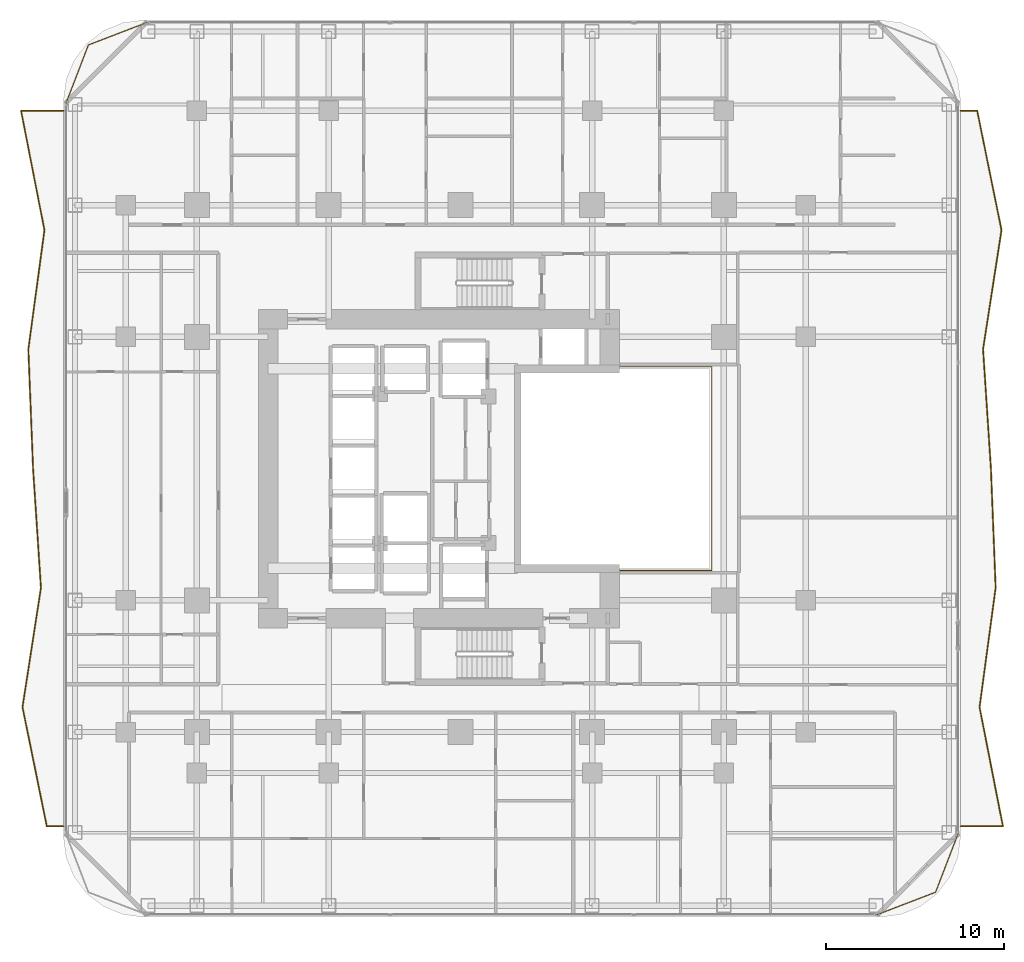
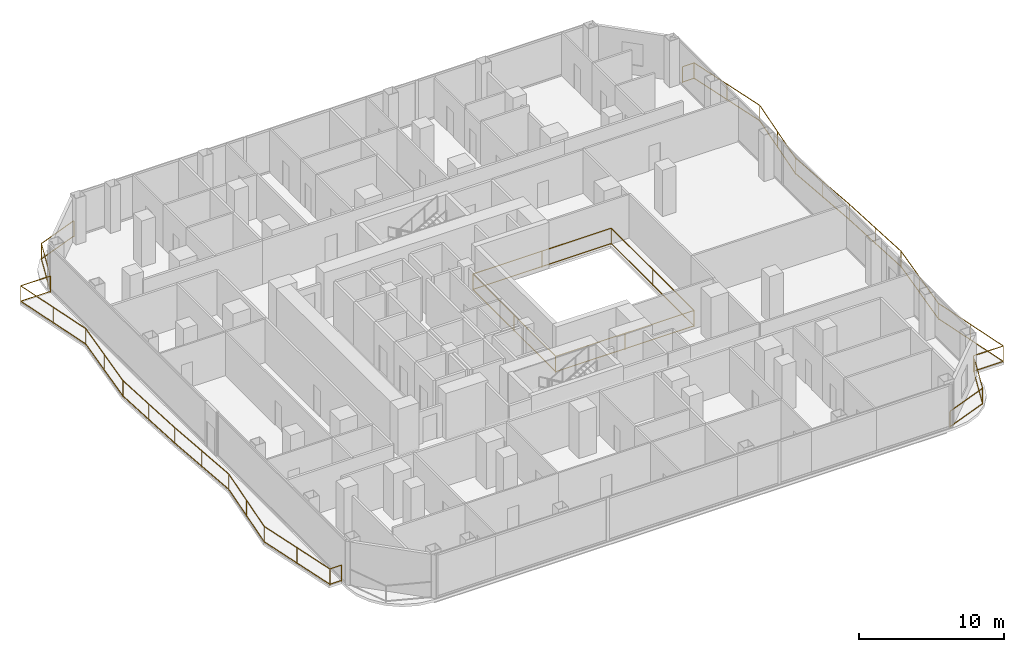
# One storey, part 26 of 27: 5 railings.
"""IFC4 building model written with IfcOpenShell, lengths in metres."""

from ifc_helpers import new_model, si_unit, direction, frame, origin, origin_2d, place, context, subcontext, project, spatial, rectangle, extrude, material, type_object, element, save


model = new_model("IFC4")

# Units and contexts
model_context = context("Model", 3, precision=1e-05, world=origin(), true_north=direction((0.0, 1.0)))
body_context = subcontext(model_context, "Body", "Model", "MODEL_VIEW")
ifc_project = project(units=[si_unit("LENGTHUNIT", "METRE"), si_unit("AREAUNIT", "SQUARE_METRE"), si_unit("VOLUMEUNIT", "CUBIC_METRE"), si_unit("PLANEANGLEUNIT", "RADIAN"), si_unit("MASSUNIT", "GRAM", prefix="KILO")], contexts=[model_context])

# Site, building, storey
site_placement = place(None, origin())
site = spatial("IfcSite", under=ifc_project, at=site_placement, CompositionType="ELEMENT")
building_placement = place(site_placement, origin())
building = spatial("IfcBuilding", under=site, at=building_placement, Name="Khorvyn Point Tower", CompositionType="ELEMENT")
storey_placement = place(building_placement, frame((0.0, 0.0, 46.199951171875)))
storey = spatial("IfcBuildingStorey", under=building, at=storey_placement, Name="L12", CompositionType="ELEMENT", Elevation=46.199951171875)

# Railings
ifc_material_1 = material(Name="Stainless steel 1.4401 and laminated glass", Category="steel")
railing_type_1 = type_object("IfcRailingType", Name="Crystal Atrium Smoke-Rated Perimeter Guardrail 1400", PredefinedType="GUARDRAIL", material=ifc_material_1)
railing_1_placement = place(storey_placement, frame((3.080078125, -5.719970703125, 0.0)))
element("IfcRailing", 1, at=railing_1_placement, inside=storey, type_object=railing_type_1, Name="L12 Crystal Atrium Perimeter Guardrail", PredefinedType="GUARDRAIL", context=body_context, shape_type="SweptSolid", body=[
    extrude(rectangle(XDim=0.048095703125, YDim=0.048095703125, at=origin_2d()), frame((0.0, 0.0, 1.3759765625), z_axis=(1.0, 0.0, 0.0), x_axis=(0.0, 1.0, 0.0)), (0.0, 0.0, 1.0), 11.0400390625),
    extrude(rectangle(XDim=0.048095703125, YDim=0.048095703125, at=origin_2d()), frame((0.0, 0.0, 0.080078125), z_axis=(1.0, 0.0, 0.0), x_axis=(0.0, 1.0, 0.0)), (0.0, 0.0, 1.0), 11.0400390625),
    extrude(rectangle(XDim=0.048095703125, YDim=0.048095703125, at=origin_2d()), frame((11.0400390625, 0.0, 1.3759765625), z_axis=(0.0, 1.0, 0.0), x_axis=(-1.0, 0.0, 0.0)), (0.0, 0.0, 1.0), 11.43994140625),
    extrude(rectangle(XDim=0.048095703125, YDim=0.048095703125, at=origin_2d()), frame((11.0400390625, 0.0, 0.080078125), z_axis=(0.0, 1.0, 0.0), x_axis=(-1.0, 0.0, 0.0)), (0.0, 0.0, 1.0), 11.43994140625),
    extrude(rectangle(XDim=0.048095703125, YDim=0.048095703125, at=origin_2d()), frame((11.0400390625, 11.43994140625, 1.3759765625), z_axis=(-1.0, 0.0, 0.0), x_axis=(0.0, -1.0, 0.0)), (0.0, 0.0, 1.0), 11.0400390625),
    extrude(rectangle(XDim=0.048095703125, YDim=0.048095703125, at=origin_2d()), frame((11.0400390625, 11.43994140625, 0.080078125), z_axis=(-1.0, 0.0, 0.0), x_axis=(0.0, -1.0, 0.0)), (0.0, 0.0, 1.0), 11.0400390625),
    extrude(rectangle(XDim=0.048095703125, YDim=0.048095703125, at=origin_2d()), frame((0.0, 11.43994140625, 1.3759765625), z_axis=(0.0, -1.0, 0.0), x_axis=(1.0, 0.0, 0.0)), (0.0, 0.0, 1.0), 11.409912109375),
    extrude(rectangle(XDim=0.048095703125, YDim=0.048095703125, at=origin_2d()), frame((0.0, 11.43994140625, 0.080078125), z_axis=(0.0, -1.0, 0.0), x_axis=(1.0, 0.0, 0.0)), (0.0, 0.0, 1.0), 11.409912109375),
    extrude(rectangle(XDim=0.0419921875, YDim=0.0419921875, at=origin_2d()), origin(), (0.0, 0.0, 1.0), 1.351806640625),
    extrude(rectangle(XDim=0.0419921875, YDim=0.0419921875, at=origin_2d()), frame((5.52001953125, 0.0, 0.0)), (0.0, 0.0, 1.0), 1.351806640625),
    extrude(rectangle(XDim=0.0419921875, YDim=0.0419921875, at=origin_2d()), frame((11.0400390625, 0.0, 0.0)), (0.0, 0.0, 1.0), 1.351806640625),
    extrude(rectangle(XDim=0.0419921875, YDim=0.0419921875, at=origin_2d()), frame((11.0400390625, 5.719970703125, 0.0)), (0.0, 0.0, 1.0), 1.351806640625),
    extrude(rectangle(XDim=0.0419921875, YDim=0.0419921875, at=origin_2d()), frame((11.0400390625, 11.43994140625, 0.0)), (0.0, 0.0, 1.0), 1.351806640625),
    extrude(rectangle(XDim=0.0419921875, YDim=0.0419921875, at=origin_2d()), frame((5.52001953125, 11.43994140625, 0.0)), (0.0, 0.0, 1.0), 1.351806640625),
    extrude(rectangle(XDim=0.0419921875, YDim=0.0419921875, at=origin_2d()), frame((0.0, 11.43994140625, 0.0)), (0.0, 0.0, 1.0), 1.351806640625),
    extrude(rectangle(XDim=0.0419921875, YDim=0.0419921875, at=origin_2d()), frame((0.0, 5.73486328125, 0.0)), (0.0, 0.0, 1.0), 1.351806640625),
    extrude(rectangle(XDim=0.0419921875, YDim=0.0419921875, at=origin_2d()), frame((0.0, 0.030029296875, 0.0)), (0.0, 0.0, 1.0), 1.351806640625),
])
ifc_material_2 = material(Name="Anodised aluminium 6063-T6 and laminated safety glass", Category="aluminium")
railing_type_2 = type_object("IfcRailingType", Name="Laminated Glass and Aluminium Balcony Guardrail 1400", PredefinedType="BALUSTRADE", material=ifc_material_2)
railing_2_placement = place(storey_placement, frame((-17.57080078125, 25.073974609375, 0.0)))
element("IfcRailing", 2, at=railing_2_placement, inside=storey, type_object=railing_type_2, Name="L12 Rounded Corner Edge Guardrail NW", PredefinedType="BALUSTRADE", context=body_context, shape_type="SweptSolid", body=[
    extrude(rectangle(XDim=0.048095703125, YDim=0.048095703125, at=origin_2d()), frame((0.0, 0.0, 1.3759765625), z_axis=(-0.933583807283, -0.358359142172, 0.0), x_axis=(0.358359142172, -0.933583807283, 0.0)), (0.0, 0.0, 1.0), 3.56298828125),
    extrude(rectangle(XDim=0.048095703125, YDim=0.048095703125, at=origin_2d()), frame((0.0, 0.0, 0.080078125), z_axis=(-0.933583807283, -0.358359142172, 0.0), x_axis=(0.358359142172, -0.933583807283, 0.0)), (0.0, 0.0, 1.0), 3.56298828125),
    extrude(rectangle(XDim=0.048095703125, YDim=0.048095703125, at=origin_2d()), frame((-3.326416015625, -1.27685546875, 1.3759765625), z_axis=(-0.358359142172, -0.933583807283, 0.0), x_axis=(0.933583807283, -0.358359142172, 0.0)), (0.0, 0.0, 1.0), 3.56298828125),
    extrude(rectangle(XDim=0.048095703125, YDim=0.048095703125, at=origin_2d()), frame((-3.326416015625, -1.27685546875, 0.080078125), z_axis=(-0.358359142172, -0.933583807283, 0.0), x_axis=(0.933583807283, -0.358359142172, 0.0)), (0.0, 0.0, 1.0), 3.56298828125),
    extrude(rectangle(XDim=0.0419921875, YDim=0.0419921875, at=origin_2d()), origin(), (0.0, 0.0, 1.0), 1.351806640625),
    extrude(rectangle(XDim=0.0419921875, YDim=0.0419921875, at=origin_2d()), frame((-3.326416015625, -1.27685546875, 0.0)), (0.0, 0.0, 1.0), 1.351806640625),
    extrude(rectangle(XDim=0.0419921875, YDim=0.0419921875, at=origin_2d()), frame((-4.603271484375, -4.603271484375, 0.0)), (0.0, 0.0, 1.0), 1.351806640625),
])
railing_3_placement = place(storey_placement, frame((23.370849609375, -25.073974609375, 0.0)))
element("IfcRailing", 3, at=railing_3_placement, inside=storey, type_object=railing_type_2, Name="L12 Rounded Corner Edge Guardrail SE", PredefinedType="BALUSTRADE", context=body_context, shape_type="SweptSolid", body=[
    extrude(rectangle(XDim=0.048095703125, YDim=0.048095703125, at=origin_2d()), frame((0.0, 0.0, 1.3759765625), z_axis=(0.933575007025, 0.358382067435, 0.0), x_axis=(-0.358382067435, 0.933575007025, 0.0)), (0.0, 0.0, 1.0), 3.562744140625),
    extrude(rectangle(XDim=0.048095703125, YDim=0.048095703125, at=origin_2d()), frame((0.0, 0.0, 0.080078125), z_axis=(0.933575007025, 0.358382067435, 0.0), x_axis=(-0.358382067435, 0.933575007025, 0.0)), (0.0, 0.0, 1.0), 3.562744140625),
    extrude(rectangle(XDim=0.048095703125, YDim=0.048095703125, at=origin_2d()), frame((3.326171875, 1.27685546875, 1.3759765625), z_axis=(0.35841886047, 0.933560882031, 0.0), x_axis=(-0.933560882031, 0.35841886047, 0.0)), (0.0, 0.0, 1.0), 3.563232421875),
    extrude(rectangle(XDim=0.048095703125, YDim=0.048095703125, at=origin_2d()), frame((3.326171875, 1.27685546875, 0.080078125), z_axis=(0.35841886047, 0.933560882031, 0.0), x_axis=(-0.933560882031, 0.35841886047, 0.0)), (0.0, 0.0, 1.0), 3.563232421875),
    extrude(rectangle(XDim=0.0419921875, YDim=0.0419921875, at=origin_2d()), origin(), (0.0, 0.0, 1.0), 1.351806640625),
    extrude(rectangle(XDim=0.0419921875, YDim=0.0419921875, at=origin_2d()), frame((3.326171875, 1.27685546875, 0.0)), (0.0, 0.0, 1.0), 1.351806640625),
    extrude(rectangle(XDim=0.0419921875, YDim=0.0419921875, at=origin_2d()), frame((4.603271484375, 4.603271484375, 0.0)), (0.0, 0.0, 1.0), 1.351806640625),
])
railing_4_placement = place(storey_placement, frame((28.10009765625, -20.10009765625, 0.0)))
element("IfcRailing", 4, at=railing_4_placement, inside=storey, type_object=railing_type_2, Name="L12 East Balcony Guardrail", PredefinedType="BALUSTRADE", context=body_context, shape_type="SweptSolid", body=[
    extrude(rectangle(XDim=0.048095703125, YDim=0.048095703125, at=origin_2d()), frame((0.0, 0.0, 1.3759765625), z_axis=(1.0, 0.0, 0.0), x_axis=(0.0, 1.0, 0.0)), (0.0, 0.0, 1.0), 2.37841796875),
    extrude(rectangle(XDim=0.048095703125, YDim=0.048095703125, at=origin_2d()), frame((0.0, 0.0, 0.080078125), z_axis=(1.0, 0.0, 0.0), x_axis=(0.0, 1.0, 0.0)), (0.0, 0.0, 1.0), 2.37841796875),
    extrude(rectangle(XDim=0.048095703125, YDim=0.048095703125, at=origin_2d()), frame((2.37841796875, 0.0, 1.3759765625), z_axis=(-0.192339516388, 0.981328441673, 0.0), x_axis=(-0.981328441673, -0.192339516388, 0.0)), (0.0, 0.0, 1.0), 6.82763671875),
    extrude(rectangle(XDim=0.048095703125, YDim=0.048095703125, at=origin_2d()), frame((2.37841796875, 0.0, 0.080078125), z_axis=(-0.192339516388, 0.981328441673, 0.0), x_axis=(-0.981328441673, -0.192339516388, 0.0)), (0.0, 0.0, 1.0), 6.82763671875),
    extrude(rectangle(XDim=0.048095703125, YDim=0.048095703125, at=origin_2d()), frame((1.065185546875, 6.7001953125, 1.3759765625), z_axis=(0.133757826576, 0.99101404825, 0.0), x_axis=(-0.99101404825, 0.133757826576, 0.0)), (0.0, 0.0, 1.0), 6.7607421875),
    extrude(rectangle(XDim=0.048095703125, YDim=0.048095703125, at=origin_2d()), frame((1.065185546875, 6.7001953125, 0.080078125), z_axis=(0.133757826576, 0.99101404825, 0.0), x_axis=(-0.99101404825, 0.133757826576, 0.0)), (0.0, 0.0, 1.0), 6.7607421875),
    extrude(rectangle(XDim=0.048095703125, YDim=0.048095703125, at=origin_2d()), frame((1.969482421875, 13.400146484375, 1.3759765625), z_axis=(-0.039469275606, 0.999220784553, 0.0), x_axis=(-0.999220784553, -0.039469275606, 0.0)), (0.0, 0.0, 1.0), 6.705078125),
    extrude(rectangle(XDim=0.048095703125, YDim=0.048095703125, at=origin_2d()), frame((1.969482421875, 13.400146484375, 0.080078125), z_axis=(-0.039469275606, 0.999220784553, 0.0), x_axis=(-0.999220784553, -0.039469275606, 0.0)), (0.0, 0.0, 1.0), 6.705078125),
    extrude(rectangle(XDim=0.048095703125, YDim=0.048095703125, at=origin_2d()), frame((1.704833984375, 20.10009765625, 1.3759765625), z_axis=(-0.06588430605, 0.997827268728, 0.0), x_axis=(-0.997827268728, -0.06588430605, 0.0)), (0.0, 0.0, 1.0), 6.714599609375),
    extrude(rectangle(XDim=0.048095703125, YDim=0.048095703125, at=origin_2d()), frame((1.704833984375, 20.10009765625, 0.080078125), z_axis=(-0.06588430605, 0.997827268728, 0.0), x_axis=(-0.997827268728, -0.06588430605, 0.0)), (0.0, 0.0, 1.0), 6.714599609375),
    extrude(rectangle(XDim=0.048095703125, YDim=0.048095703125, at=origin_2d()), frame((1.262451171875, 26.800048828125, 1.3759765625), z_axis=(0.152901402599, 0.988241448778, 0.0), x_axis=(-0.988241448778, 0.152901402599, 0.0)), (0.0, 0.0, 1.0), 6.77978515625),
    extrude(rectangle(XDim=0.048095703125, YDim=0.048095703125, at=origin_2d()), frame((1.262451171875, 26.800048828125, 0.080078125), z_axis=(0.152901402599, 0.988241448778, 0.0), x_axis=(-0.988241448778, 0.152901402599, 0.0)), (0.0, 0.0, 1.0), 6.77978515625),
    extrude(rectangle(XDim=0.048095703125, YDim=0.048095703125, at=origin_2d()), frame((2.299072265625, 33.5, 1.3759765625), z_axis=(-0.19982920422, 0.97983074515, 0.0), x_axis=(-0.97983074515, -0.19982920422, 0.0)), (0.0, 0.0, 1.0), 6.838134765625),
    extrude(rectangle(XDim=0.048095703125, YDim=0.048095703125, at=origin_2d()), frame((2.299072265625, 33.5, 0.080078125), z_axis=(-0.19982920422, 0.97983074515, 0.0), x_axis=(-0.97983074515, -0.19982920422, 0.0)), (0.0, 0.0, 1.0), 6.838134765625),
    extrude(rectangle(XDim=0.048095703125, YDim=0.048095703125, at=origin_2d()), frame((0.9326171875, 40.2001953125, 1.3759765625), z_axis=(-1.0, 0.0, 0.0), x_axis=(0.0, -1.0, 0.0)), (0.0, 0.0, 1.0), 0.9326171875),
    extrude(rectangle(XDim=0.048095703125, YDim=0.048095703125, at=origin_2d()), frame((0.9326171875, 40.2001953125, 0.080078125), z_axis=(-1.0, 0.0, 0.0), x_axis=(0.0, -1.0, 0.0)), (0.0, 0.0, 1.0), 0.9326171875),
    extrude(rectangle(XDim=0.0419921875, YDim=0.0419921875, at=origin_2d()), origin(), (0.0, 0.0, 1.0), 1.351806640625),
    extrude(rectangle(XDim=0.0419921875, YDim=0.0419921875, at=origin_2d()), frame((2.37841796875, 0.0, 0.0)), (0.0, 0.0, 1.0), 1.351806640625),
    extrude(rectangle(XDim=0.0419921875, YDim=0.0419921875, at=origin_2d()), frame((1.7216796875, 3.35009765625, 0.0)), (0.0, 0.0, 1.0), 1.351806640625),
    extrude(rectangle(XDim=0.0419921875, YDim=0.0419921875, at=origin_2d()), frame((1.065185546875, 6.7001953125, 0.0)), (0.0, 0.0, 1.0), 1.351806640625),
    extrude(rectangle(XDim=0.0419921875, YDim=0.0419921875, at=origin_2d()), frame((1.517333984375, 10.05029296875, 0.0)), (0.0, 0.0, 1.0), 1.351806640625),
    extrude(rectangle(XDim=0.0419921875, YDim=0.0419921875, at=origin_2d()), frame((1.969482421875, 13.400146484375, 0.0)), (0.0, 0.0, 1.0), 1.351806640625),
    extrude(rectangle(XDim=0.0419921875, YDim=0.0419921875, at=origin_2d()), frame((1.837158203125, 16.75, 0.0)), (0.0, 0.0, 1.0), 1.351806640625),
    extrude(rectangle(XDim=0.0419921875, YDim=0.0419921875, at=origin_2d()), frame((1.704833984375, 20.10009765625, 0.0)), (0.0, 0.0, 1.0), 1.351806640625),
    extrude(rectangle(XDim=0.0419921875, YDim=0.0419921875, at=origin_2d()), frame((1.483642578125, 23.4501953125, 0.0)), (0.0, 0.0, 1.0), 1.351806640625),
    extrude(rectangle(XDim=0.0419921875, YDim=0.0419921875, at=origin_2d()), frame((1.262451171875, 26.800048828125, 0.0)), (0.0, 0.0, 1.0), 1.351806640625),
    extrude(rectangle(XDim=0.0419921875, YDim=0.0419921875, at=origin_2d()), frame((1.78076171875, 30.14990234375, 0.0)), (0.0, 0.0, 1.0), 1.351806640625),
    extrude(rectangle(XDim=0.0419921875, YDim=0.0419921875, at=origin_2d()), frame((2.299072265625, 33.5, 0.0)), (0.0, 0.0, 1.0), 1.351806640625),
    extrude(rectangle(XDim=0.0419921875, YDim=0.0419921875, at=origin_2d()), frame((1.61572265625, 36.85009765625, 0.0)), (0.0, 0.0, 1.0), 1.351806640625),
    extrude(rectangle(XDim=0.0419921875, YDim=0.0419921875, at=origin_2d()), frame((0.9326171875, 40.2001953125, 0.0)), (0.0, 0.0, 1.0), 1.351806640625),
    extrude(rectangle(XDim=0.0419921875, YDim=0.0419921875, at=origin_2d()), frame((0.0, 40.2001953125, 0.0)), (0.0, 0.0, 1.0), 1.351806640625),
])
railing_5_placement = place(storey_placement, frame((-22.300048828125, 20.10009765625, 0.0)))
element("IfcRailing", 5, at=railing_5_placement, inside=storey, type_object=railing_type_2, Name="L12 West Balcony Guardrail", PredefinedType="BALUSTRADE", context=body_context, shape_type="SweptSolid", body=[
    extrude(rectangle(XDim=0.048095703125, YDim=0.048095703125, at=origin_2d()), frame((0.0, 0.0, 1.3759765625), z_axis=(-1.0, 0.0, 0.0), x_axis=(0.0, -1.0, 0.0)), (0.0, 0.0, 1.0), 2.37841796875),
    extrude(rectangle(XDim=0.048095703125, YDim=0.048095703125, at=origin_2d()), frame((0.0, 0.0, 0.080078125), z_axis=(-1.0, 0.0, 0.0), x_axis=(0.0, -1.0, 0.0)), (0.0, 0.0, 1.0), 2.37841796875),
    extrude(rectangle(XDim=0.048095703125, YDim=0.048095703125, at=origin_2d()), frame((-2.37841796875, 0.0, 1.3759765625), z_axis=(0.192305081377, -0.981335190277, 0.0), x_axis=(0.981335190277, 0.192305081377, 0.0)), (0.0, 0.0, 1.0), 6.82763671875),
    extrude(rectangle(XDim=0.048095703125, YDim=0.048095703125, at=origin_2d()), frame((-2.37841796875, 0.0, 0.080078125), z_axis=(0.192305081377, -0.981335190277, 0.0), x_axis=(0.981335190277, 0.192305081377, 0.0)), (0.0, 0.0, 1.0), 6.82763671875),
    extrude(rectangle(XDim=0.048095703125, YDim=0.048095703125, at=origin_2d()), frame((-1.0654296875, -6.7001953125, 1.3759765625), z_axis=(-0.133722360675, -0.991018834461, 0.0), x_axis=(0.991018834461, -0.133722360675, 0.0)), (0.0, 0.0, 1.0), 6.7607421875),
    extrude(rectangle(XDim=0.048095703125, YDim=0.048095703125, at=origin_2d()), frame((-1.0654296875, -6.7001953125, 0.080078125), z_axis=(-0.133722360675, -0.991018834461, 0.0), x_axis=(0.991018834461, -0.133722360675, 0.0)), (0.0, 0.0, 1.0), 6.7607421875),
    extrude(rectangle(XDim=0.048095703125, YDim=0.048095703125, at=origin_2d()), frame((-1.969482421875, -13.400146484375, 1.3759765625), z_axis=(0.039469275606, -0.999220784553, 0.0), x_axis=(0.999220784553, 0.039469275606, 0.0)), (0.0, 0.0, 1.0), 6.705078125),
    extrude(rectangle(XDim=0.048095703125, YDim=0.048095703125, at=origin_2d()), frame((-1.969482421875, -13.400146484375, 0.080078125), z_axis=(0.039469275606, -0.999220784553, 0.0), x_axis=(0.999220784553, 0.039469275606, 0.0)), (0.0, 0.0, 1.0), 6.705078125),
    extrude(rectangle(XDim=0.048095703125, YDim=0.048095703125, at=origin_2d()), frame((-1.704833984375, -20.10009765625, 1.3759765625), z_axis=(0.06588430605, -0.997827268728, 0.0), x_axis=(0.997827268728, 0.06588430605, 0.0)), (0.0, 0.0, 1.0), 6.714599609375),
    extrude(rectangle(XDim=0.048095703125, YDim=0.048095703125, at=origin_2d()), frame((-1.704833984375, -20.10009765625, 0.080078125), z_axis=(0.06588430605, -0.997827268728, 0.0), x_axis=(0.997827268728, 0.06588430605, 0.0)), (0.0, 0.0, 1.0), 6.714599609375),
    extrude(rectangle(XDim=0.048095703125, YDim=0.048095703125, at=origin_2d()), frame((-1.262451171875, -26.800048828125, 1.3759765625), z_axis=(-0.152901402599, -0.988241448778, 0.0), x_axis=(0.988241448778, -0.152901402599, 0.0)), (0.0, 0.0, 1.0), 6.77978515625),
    extrude(rectangle(XDim=0.048095703125, YDim=0.048095703125, at=origin_2d()), frame((-1.262451171875, -26.800048828125, 0.080078125), z_axis=(-0.152901402599, -0.988241448778, 0.0), x_axis=(0.988241448778, -0.152901402599, 0.0)), (0.0, 0.0, 1.0), 6.77978515625),
    extrude(rectangle(XDim=0.048095703125, YDim=0.048095703125, at=origin_2d()), frame((-2.299072265625, -33.5, 1.3759765625), z_axis=(0.19982920422, -0.97983074515, 0.0), x_axis=(0.97983074515, 0.19982920422, 0.0)), (0.0, 0.0, 1.0), 6.838134765625),
    extrude(rectangle(XDim=0.048095703125, YDim=0.048095703125, at=origin_2d()), frame((-2.299072265625, -33.5, 0.080078125), z_axis=(0.19982920422, -0.97983074515, 0.0), x_axis=(0.97983074515, 0.19982920422, 0.0)), (0.0, 0.0, 1.0), 6.838134765625),
    extrude(rectangle(XDim=0.048095703125, YDim=0.048095703125, at=origin_2d()), frame((-0.9326171875, -40.2001953125, 1.3759765625), z_axis=(1.0, 0.0, 0.0), x_axis=(0.0, 1.0, 0.0)), (0.0, 0.0, 1.0), 0.9326171875),
    extrude(rectangle(XDim=0.048095703125, YDim=0.048095703125, at=origin_2d()), frame((-0.9326171875, -40.2001953125, 0.080078125), z_axis=(1.0, 0.0, 0.0), x_axis=(0.0, 1.0, 0.0)), (0.0, 0.0, 1.0), 0.9326171875),
    extrude(rectangle(XDim=0.0419921875, YDim=0.0419921875, at=origin_2d()), origin(), (0.0, 0.0, 1.0), 1.351806640625),
    extrude(rectangle(XDim=0.0419921875, YDim=0.0419921875, at=origin_2d()), frame((-2.37841796875, 0.0, 0.0)), (0.0, 0.0, 1.0), 1.351806640625),
    extrude(rectangle(XDim=0.0419921875, YDim=0.0419921875, at=origin_2d()), frame((-1.721923828125, -3.35009765625, 0.0)), (0.0, 0.0, 1.0), 1.351806640625),
    extrude(rectangle(XDim=0.0419921875, YDim=0.0419921875, at=origin_2d()), frame((-1.0654296875, -6.7001953125, 0.0)), (0.0, 0.0, 1.0), 1.351806640625),
    extrude(rectangle(XDim=0.0419921875, YDim=0.0419921875, at=origin_2d()), frame((-1.517578125, -10.05029296875, 0.0)), (0.0, 0.0, 1.0), 1.351806640625),
    extrude(rectangle(XDim=0.0419921875, YDim=0.0419921875, at=origin_2d()), frame((-1.969482421875, -13.400146484375, 0.0)), (0.0, 0.0, 1.0), 1.351806640625),
    extrude(rectangle(XDim=0.0419921875, YDim=0.0419921875, at=origin_2d()), frame((-1.837158203125, -16.75, 0.0)), (0.0, 0.0, 1.0), 1.351806640625),
    extrude(rectangle(XDim=0.0419921875, YDim=0.0419921875, at=origin_2d()), frame((-1.704833984375, -20.10009765625, 0.0)), (0.0, 0.0, 1.0), 1.351806640625),
    extrude(rectangle(XDim=0.0419921875, YDim=0.0419921875, at=origin_2d()), frame((-1.483642578125, -23.4501953125, 0.0)), (0.0, 0.0, 1.0), 1.351806640625),
    extrude(rectangle(XDim=0.0419921875, YDim=0.0419921875, at=origin_2d()), frame((-1.262451171875, -26.800048828125, 0.0)), (0.0, 0.0, 1.0), 1.351806640625),
    extrude(rectangle(XDim=0.0419921875, YDim=0.0419921875, at=origin_2d()), frame((-1.78076171875, -30.14990234375, 0.0)), (0.0, 0.0, 1.0), 1.351806640625),
    extrude(rectangle(XDim=0.0419921875, YDim=0.0419921875, at=origin_2d()), frame((-2.299072265625, -33.5, 0.0)), (0.0, 0.0, 1.0), 1.351806640625),
    extrude(rectangle(XDim=0.0419921875, YDim=0.0419921875, at=origin_2d()), frame((-1.61572265625, -36.85009765625, 0.0)), (0.0, 0.0, 1.0), 1.351806640625),
    extrude(rectangle(XDim=0.0419921875, YDim=0.0419921875, at=origin_2d()), frame((-0.9326171875, -40.2001953125, 0.0)), (0.0, 0.0, 1.0), 1.351806640625),
    extrude(rectangle(XDim=0.0419921875, YDim=0.0419921875, at=origin_2d()), frame((0.0, -40.2001953125, 0.0)), (0.0, 0.0, 1.0), 1.351806640625),
])

save(model, "model.ifc")
